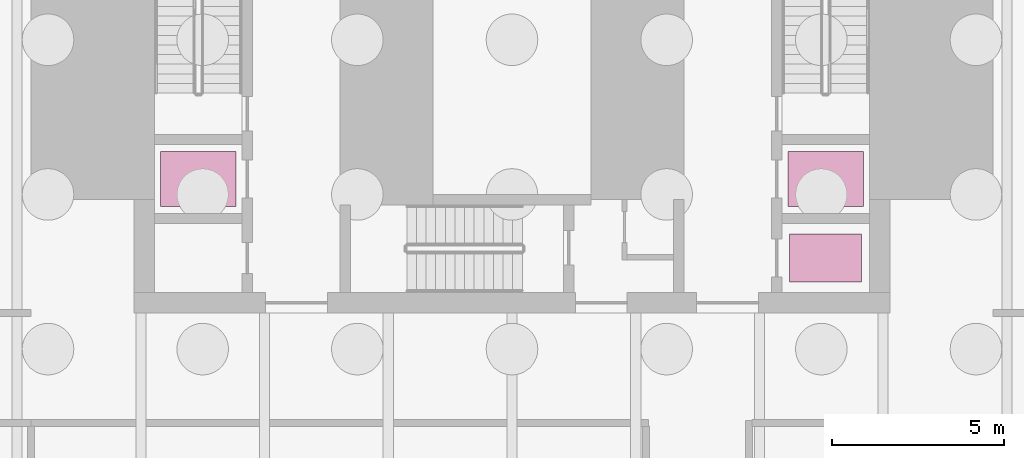
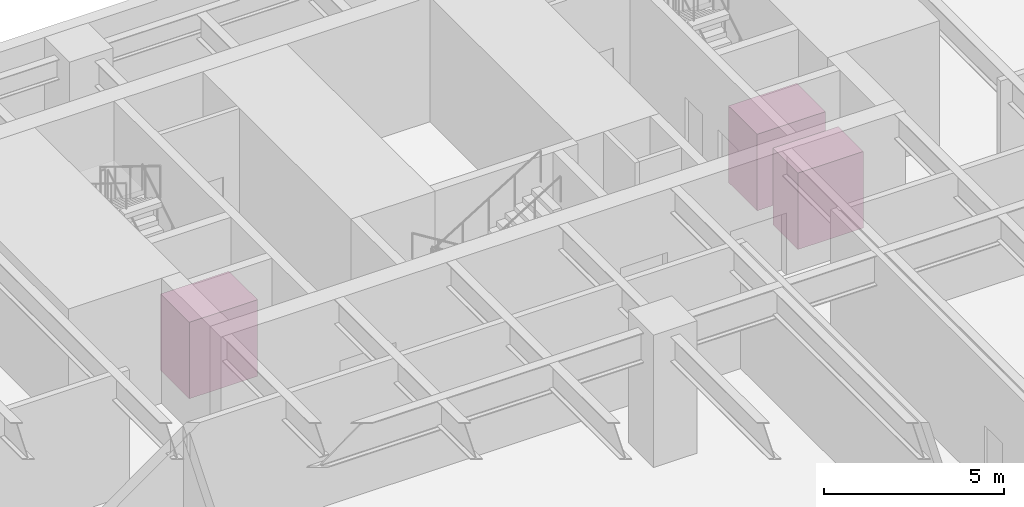
# One storey, part 18 of 18: 3 transport elements.
"""IFC4 building model written with IfcOpenShell, lengths in metres."""

from ifc_helpers import new_model, si_unit, direction, frame, origin, origin_2d, place, context, subcontext, project, spatial, rectangle, extrude, material, type_object, element, save


model = new_model("IFC4")

# Units and contexts
model_context = context("Model", 3, precision=1e-05, world=origin(), true_north=direction((0.0, 1.0)))
body_context = subcontext(model_context, "Body", "Model", "MODEL_VIEW")
ifc_project = project(units=[si_unit("LENGTHUNIT", "METRE"), si_unit("AREAUNIT", "SQUARE_METRE"), si_unit("VOLUMEUNIT", "CUBIC_METRE"), si_unit("PLANEANGLEUNIT", "RADIAN"), si_unit("MASSUNIT", "GRAM", prefix="KILO")], contexts=[model_context])

# Site, building, storey
site_placement = place(None, origin())
site = spatial("IfcSite", under=ifc_project, at=site_placement, CompositionType="ELEMENT")
building_placement = place(site_placement, origin())
building = spatial("IfcBuilding", under=site, at=building_placement, Name="Aloe Facet Convention Tower", CompositionType="ELEMENT")
storey_placement = place(building_placement, frame((0.0, 0.0, -9.0)))
storey = spatial("IfcBuildingStorey", under=building, at=storey_placement, Name="B2", CompositionType="ELEMENT", Elevation=-9.0)

# Transport elements
ifc_material_1 = material(Name="Stainless steel lift car", Category="steel")
transport_element_type_1 = type_object("IfcTransportElementType", Name="CR-LIFT-FIREFIGHTING-1600x2200", PredefinedType="ELEVATOR", material=ifc_material_1)
for number, where, z_axis, x_axis, name in (
    (1, (70.875, 126.449951171875, 0.0), (0.0, 0.0, 1.0), (1.0, 0.0, 0.0), "Lift FF1"),
    (2, (89.125, 126.449951171875, 0.0), (0.0, 0.0, 1.0), (1.0, 0.0, 0.0), "Lift FF2"),
):
    element("IfcTransportElement", number, at=place(storey_placement, frame(where, z_axis=z_axis, x_axis=x_axis)), inside=storey, type_object=transport_element_type_1, Name=name, PredefinedType="ELEVATOR", context=body_context, shape_type="SweptSolid", body=[
        extrude(rectangle(XDim=2.199951171875, YDim=1.60009765625, at=origin_2d()), origin(), (0.0, 0.0, 1.0), 2.60009765625),
    ])
ifc_material_2 = material(Name="Stainless steel lift car", Category="steel")
transport_element_type_2 = type_object("IfcTransportElementType", Name="CR-LIFT-SERVICE-1400x2100", PredefinedType="ELEVATOR", material=ifc_material_2)
transport_element_placement = place(storey_placement, frame((89.125, 124.14990234375, 0.0), z_axis=(0.0, 0.0, 1.0), x_axis=(1.0, 0.0, 0.0)))
element("IfcTransportElement", 3, at=transport_element_placement, inside=storey, type_object=transport_element_type_2, Name="Lift SV1", PredefinedType="ELEVATOR", context=body_context, shape_type="SweptSolid", body=[
    extrude(rectangle(XDim=2.10009765625, YDim=1.39990234375, at=origin_2d()), origin(), (0.0, 0.0, 1.0), 2.60009765625),
])

save(model, "model.ifc")
